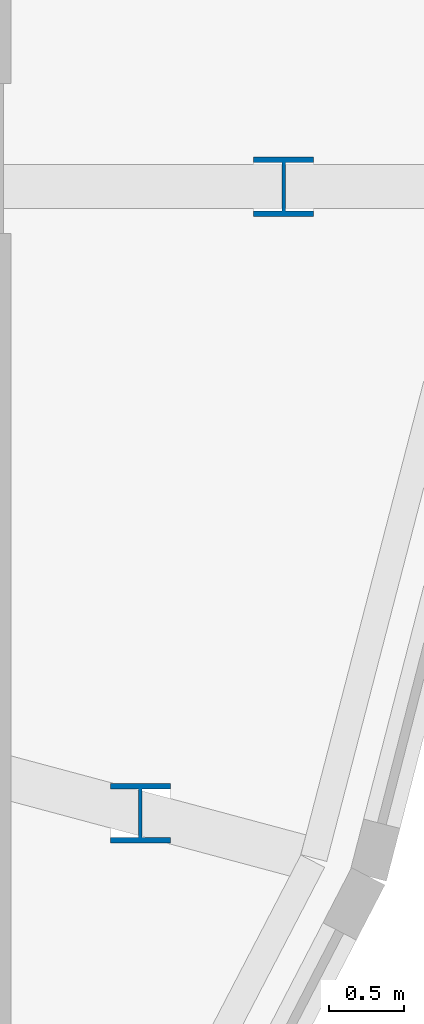
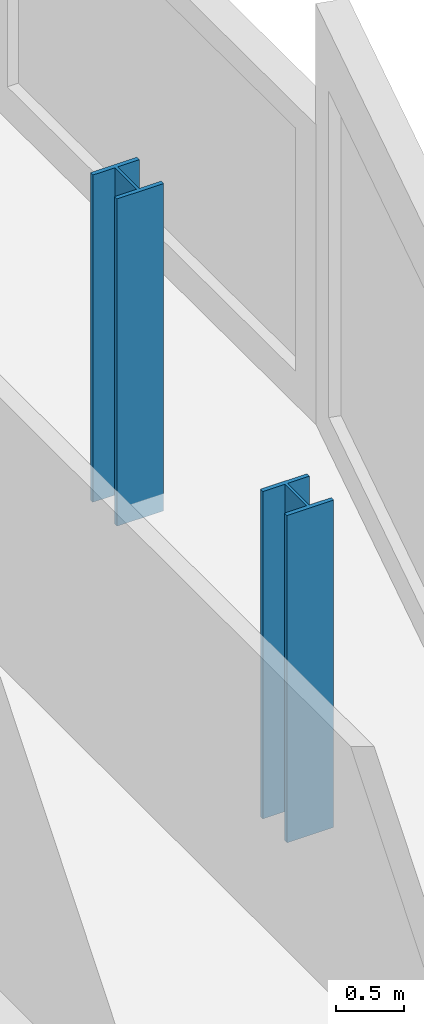
# One storey, part 2 of 38: 2 columns.
"""IFC4 building model written with IfcOpenShell, lengths in metres."""

from ifc_helpers import new_model, si_unit, direction, frame, origin, origin_2d, place, context, subcontext, project, spatial, i_section, extrude, material, material_profile, profile_set, type_object, element, save


model = new_model("IFC4")

# Units and contexts
model_context = context("Model", 3, precision=1e-05, world=origin(), true_north=direction((0.0, 1.0)))
body_context = subcontext(model_context, "Body", "Model", "MODEL_VIEW")
ifc_project = project(units=[si_unit("LENGTHUNIT", "METRE"), si_unit("AREAUNIT", "SQUARE_METRE"), si_unit("VOLUMEUNIT", "CUBIC_METRE"), si_unit("PLANEANGLEUNIT", "RADIAN"), si_unit("MASSUNIT", "GRAM", prefix="KILO")], contexts=[model_context])

# Site, building, storey
site_placement = place(None, origin())
site = spatial("IfcSite", under=ifc_project, at=site_placement, CompositionType="ELEMENT")
building_placement = place(site_placement, origin())
building = spatial("IfcBuilding", under=site, at=building_placement, Name="Rimbun Link Towers", CompositionType="ELEMENT")
storey_placement = place(building_placement, frame((0.0, 0.0, 49.0)))
storey = spatial("IfcBuildingStorey", under=building, at=storey_placement, Name="L11", CompositionType="ELEMENT", Elevation=49.0)

# Columns
ifc_material = material(Name="Steel S355J2", Category="steel")
ifc_material_profile = material_profile(ifc_material, i_section(OverallWidth=0.39892578125, OverallDepth=0.3935546875, WebThickness=0.022705078125, FlangeThickness=0.03662109375, at=origin_2d()), Name="UC 356x406x287")
ifc_profile_set = profile_set([ifc_material_profile], Name="Steel S355J2")
column_type = type_object("IfcColumnType", Name="UC 356x406x287", PredefinedType="COLUMN", material=ifc_profile_set)
for number, where, z_axis, x_axis, name in (
    (1, (47.310302734375, -4.169189453125, -0.159912109375), (0.0, 0.0, 1.0), (1.0, 0.0, 0.0), "Crease post T2 L11 20"),
    (2, (48.26318359375, 0.0, -0.159912109375), (0.0, 0.0, 1.0), (1.0, 0.0, 0.0), "Crease post T2 L11 21"),
):
    element("IfcColumn", number, at=place(storey_placement, frame(where, z_axis=z_axis, x_axis=x_axis)), inside=storey, type_object=column_type, Name=name, PredefinedType="COLUMN", context=body_context, shape_type="SweptSolid", body=[
        extrude(i_section(OverallWidth=0.39892578125, OverallDepth=0.3935546875, WebThickness=0.022705078125, FlangeThickness=0.03662109375, at=origin_2d()), origin(), (0.0, 0.0, 1.0), 2.959228515625),
    ])

save(model, "model.ifc")
